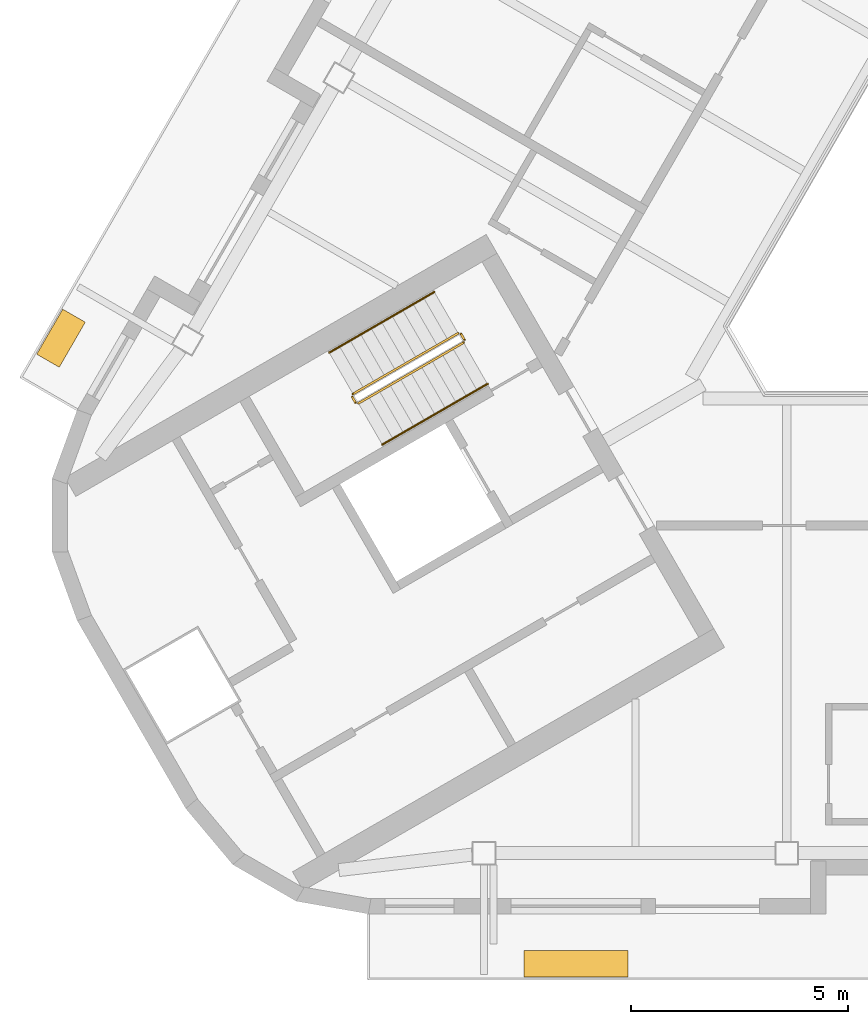
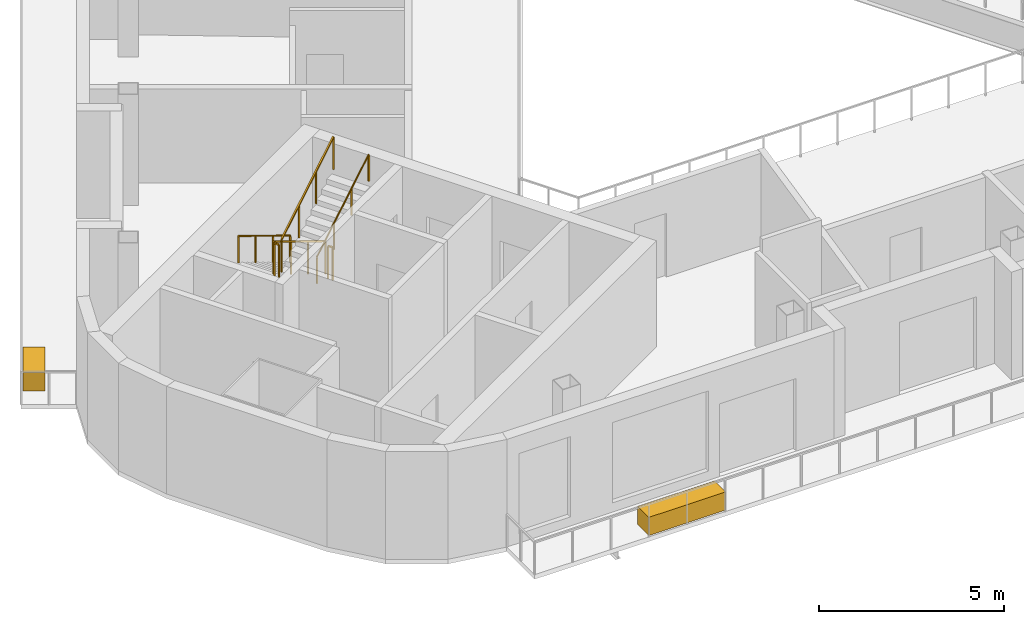
# One storey, part 8 of 12: 6 railings, 2 coverings.
"""IFC4 building model written with IfcOpenShell, lengths in metres."""

from ifc_helpers import new_model, si_unit, direction, frame, origin, origin_2d, place, context, subcontext, project, spatial, rectangle, circle, extrude, material, type_object, element, save


model = new_model("IFC4")

# Units and contexts
model_context = context("Model", 3, precision=1e-05, world=origin(), true_north=direction((0.0, 1.0)))
body_context = subcontext(model_context, "Body", "Model", "MODEL_VIEW")
ifc_project = project(units=[si_unit("LENGTHUNIT", "METRE"), si_unit("AREAUNIT", "SQUARE_METRE"), si_unit("VOLUMEUNIT", "CUBIC_METRE"), si_unit("PLANEANGLEUNIT", "RADIAN"), si_unit("MASSUNIT", "GRAM", prefix="KILO")], contexts=[model_context])

# Site, building, storey
site_placement = place(None, origin())
site = spatial("IfcSite", under=ifc_project, at=site_placement, CompositionType="ELEMENT")
building_placement = place(site_placement, origin())
building = spatial("IfcBuilding", under=site, at=building_placement, Name="Apuvela Tower Hotel", CompositionType="ELEMENT")
storey_placement = place(building_placement, frame((0.0, 0.0, 294.800048828125)))
storey = spatial("IfcBuildingStorey", under=building, at=storey_placement, Name="L73", CompositionType="ELEMENT", Elevation=294.800048828125)

# Railings
ifc_material_1 = material(Name="Steel S275 balustrade", Category="steel")
railing_type_1 = type_object("IfcRailingType", Name="COR-GUARD-1100", PredefinedType="GUARDRAIL", material=ifc_material_1)
railing_1_placement = place(storey_placement, frame((-14.569091796875, -3.9658203125, 0.168212890625)))
element("IfcRailing", 1, at=railing_1_placement, inside=storey, type_object=railing_type_1, Name="L73 ST2 stair guard 1", PredefinedType="GUARDRAIL", context=body_context, shape_type="SweptSolid", body=[
    extrude(rectangle(XDim=0.048095703125, YDim=0.048095703125, at=origin_2d()), frame((0.0, 0.0, 1.076171875), z_axis=(-0.74241905619, -0.428617687091, 0.514879426), x_axis=(0.49998411664, -0.866034573852, 0.0)), (0.0, 0.0, 1.0), 3.26611328125),
    extrude(rectangle(XDim=0.0419921875, YDim=0.0419921875, at=origin_2d()), origin(), (0.0, 0.0, 1.0), 1.052001953125),
    extrude(rectangle(XDim=0.0419921875, YDim=0.0419921875, at=origin_2d()), frame((-0.808349609375, -0.466552734375, 0.560546875)), (0.0, 0.0, 1.0), 1.052001953125),
    extrude(rectangle(XDim=0.0419921875, YDim=0.0419921875, at=origin_2d()), frame((-1.616455078125, -0.933349609375, 1.12109375)), (0.0, 0.0, 1.0), 1.052001953125),
    extrude(rectangle(XDim=0.0419921875, YDim=0.0419921875, at=origin_2d()), frame((-2.4248046875, -1.39990234375, 1.681640625)), (0.0, 0.0, 1.0), 1.052001953125),
])
railing_2_placement = place(storey_placement, frame((-17.01220703125, -5.43408203125, 1.849853515625)))
element("IfcRailing", 2, at=railing_2_placement, inside=storey, type_object=railing_type_1, Name="L73 ST2 stair guard 2", PredefinedType="GUARDRAIL", context=body_context, shape_type="SweptSolid", body=[
    extrude(rectangle(XDim=0.048095703125, YDim=0.048095703125, at=origin_2d()), frame((0.0, 0.0, 1.076171875), z_axis=(0.499816412211, -0.866131372301, 0.0), x_axis=(0.866131372301, 0.499816412211, 0.0)), (0.0, 0.0, 1.0), 0.14990234375),
    extrude(rectangle(XDim=0.0419921875, YDim=0.0419921875, at=origin_2d()), origin(), (0.0, 0.0, 1.0), 1.052001953125),
    extrude(rectangle(XDim=0.0419921875, YDim=0.0419921875, at=origin_2d()), frame((0.074951171875, -0.1298828125, 0.0)), (0.0, 0.0, 1.0), 1.052001953125),
])
railing_3_placement = place(storey_placement, frame((-16.868896484375, -5.582275390625, 2.01806640625)))
element("IfcRailing", 3, at=railing_3_placement, inside=storey, type_object=railing_type_1, Name="L73 ST2 stair guard 3", PredefinedType="GUARDRAIL", context=body_context, shape_type="SweptSolid", body=[
    extrude(rectangle(XDim=0.048095703125, YDim=0.048095703125, at=origin_2d()), frame((0.0, 0.0, 1.076171875), z_axis=(0.742390482028, 0.42860119049, 0.514934356695), x_axis=(-0.49998411664, 0.866034573852, 0.0)), (0.0, 0.0, 1.0), 3.26611328125),
    extrude(rectangle(XDim=0.0419921875, YDim=0.0419921875, at=origin_2d()), origin(), (0.0, 0.0, 1.0), 1.052001953125),
    extrude(rectangle(XDim=0.0419921875, YDim=0.0419921875, at=origin_2d()), frame((0.808349609375, 0.466552734375, 0.560546875)), (0.0, 0.0, 1.0), 1.052001953125),
    extrude(rectangle(XDim=0.0419921875, YDim=0.0419921875, at=origin_2d()), frame((1.616455078125, 0.933349609375, 1.121337890625)), (0.0, 0.0, 1.0), 1.052001953125),
    extrude(rectangle(XDim=0.0419921875, YDim=0.0419921875, at=origin_2d()), frame((2.4248046875, 1.39990234375, 1.681884765625)), (0.0, 0.0, 1.0), 1.052001953125),
])
railing_4_placement = place(storey_placement, frame((-14.500732421875, -3.984130859375, 0.0)))
element("IfcRailing", 4, at=railing_4_placement, inside=storey, type_object=railing_type_1, Name="L73 ST2 stair guard 4", PredefinedType="GUARDRAIL", context=body_context, shape_type="SweptSolid", body=[
    extrude(rectangle(XDim=0.048095703125, YDim=0.048095703125, at=origin_2d()), frame((0.0, 0.0, 1.076171875), z_axis=(0.499816412211, -0.866131372301, 0.0), x_axis=(0.866131372301, 0.499816412211, 0.0)), (0.0, 0.0, 1.0), 0.14990234375),
    extrude(rectangle(XDim=0.0419921875, YDim=0.0419921875, at=origin_2d()), origin(), (0.0, 0.0, 1.0), 1.052001953125),
    extrude(rectangle(XDim=0.0419921875, YDim=0.0419921875, at=origin_2d()), frame((0.074951171875, -0.1298828125, 0.0)), (0.0, 0.0, 1.0), 1.052001953125),
])
ifc_material_2 = material(Name="Stainless steel 316 handrail", Category="steel")
railing_type_2 = type_object("IfcRailingType", Name="COR-HANDRAIL-900", PredefinedType="HANDRAIL", material=ifc_material_2)
railing_5_placement = place(storey_placement, frame((-15.118896484375, -3.01318359375, 0.168212890625)))
element("IfcRailing", 5, at=railing_5_placement, inside=storey, type_object=railing_type_2, Name="L73 ST2 stair handrail 1", PredefinedType="HANDRAIL", context=body_context, shape_type="SweptSolid", body=[
    extrude(circle(Radius=0.02392578125, at=origin_2d()), frame((0.0, 0.0, 0.8759765625), z_axis=(-0.742452602333, -0.428593901316, 0.514850853203), x_axis=(0.49994636267, -0.866056369097, 0.0)), (0.0, 0.0, 1.0), 3.266357421875),
    extrude(rectangle(XDim=0.0419921875, YDim=0.0419921875, at=origin_2d()), origin(), (0.0, 0.0, 1.0), 0.851806640625),
    extrude(rectangle(XDim=0.0419921875, YDim=0.0419921875, at=origin_2d()), frame((-0.808349609375, -0.466552734375, 0.560546875)), (0.0, 0.0, 1.0), 0.851806640625),
    extrude(rectangle(XDim=0.0419921875, YDim=0.0419921875, at=origin_2d()), frame((-1.61669921875, -0.933349609375, 1.12109375)), (0.0, 0.0, 1.0), 0.851806640625),
    extrude(rectangle(XDim=0.0419921875, YDim=0.0419921875, at=origin_2d()), frame((-2.425048828125, -1.39990234375, 1.681640625)), (0.0, 0.0, 1.0), 0.851806640625),
])
railing_6_placement = place(storey_placement, frame((-16.31884765625, -6.534912109375, 2.01806640625)))
element("IfcRailing", 6, at=railing_6_placement, inside=storey, type_object=railing_type_2, Name="L73 ST2 stair handrail 2", PredefinedType="HANDRAIL", context=body_context, shape_type="SweptSolid", body=[
    extrude(circle(Radius=0.02392578125, at=origin_2d()), frame((0.0, 0.0, 0.8759765625), z_axis=(0.742390482028, 0.42860119049, 0.514934356695), x_axis=(-0.49998411664, 0.866034573852, 0.0)), (0.0, 0.0, 1.0), 3.26611328125),
    extrude(rectangle(XDim=0.0419921875, YDim=0.0419921875, at=origin_2d()), origin(), (0.0, 0.0, 1.0), 0.851806640625),
    extrude(rectangle(XDim=0.0419921875, YDim=0.0419921875, at=origin_2d()), frame((0.808349609375, 0.466552734375, 0.560546875)), (0.0, 0.0, 1.0), 0.851806640625),
    extrude(rectangle(XDim=0.0419921875, YDim=0.0419921875, at=origin_2d()), frame((1.616455078125, 0.933349609375, 1.121337890625)), (0.0, 0.0, 1.0), 0.851806640625),
    extrude(rectangle(XDim=0.0419921875, YDim=0.0419921875, at=origin_2d()), frame((2.4248046875, 1.39990234375, 1.681884765625)), (0.0, 0.0, 1.0), 0.851806640625),
])

# Coverings
ifc_material_3 = material(Name="Planting substrate and soil, planted")
covering_type_1 = type_object("IfcCoveringType", Name="ENV-PLANTER-1200x600", PredefinedType="USERDEFINED", material=ifc_material_3)
covering_1_placement = place(storey_placement, frame((-23.731201171875, -4.080078125, 0.0), z_axis=(0.0, 0.0, 1.0), x_axis=(-0.5, -0.866025403784, 0.0)))
element("IfcCovering", 7, at=covering_1_placement, inside=storey, type_object=covering_type_1, Name="Planter NW6", ObjectType="PLANTER", PredefinedType="USERDEFINED", context=body_context, shape_type="SweptSolid", body=[
    extrude(rectangle(XDim=1.199951171875, YDim=0.60009765625, at=origin_2d()), origin(), (0.0, 0.0, 1.0), 0.60009765625),
])
covering_type_2 = type_object("IfcCoveringType", Name="ENV-PLANTER-2400x600", PredefinedType="USERDEFINED", material=ifc_material_3)
covering_2_placement = place(storey_placement, frame((-11.84912109375, -18.51171875, 0.0), z_axis=(0.0, 0.0, 1.0), x_axis=(1.0, 0.0, 0.0)))
element("IfcCovering", 8, at=covering_2_placement, inside=storey, type_object=covering_type_2, Name="Planter S1", ObjectType="PLANTER", PredefinedType="USERDEFINED", context=body_context, shape_type="SweptSolid", body=[
    extrude(rectangle(XDim=2.39990234375, YDim=0.60009765625, at=origin_2d()), origin(), (0.0, 0.0, 1.0), 0.60009765625),
])

save(model, "model.ifc")
